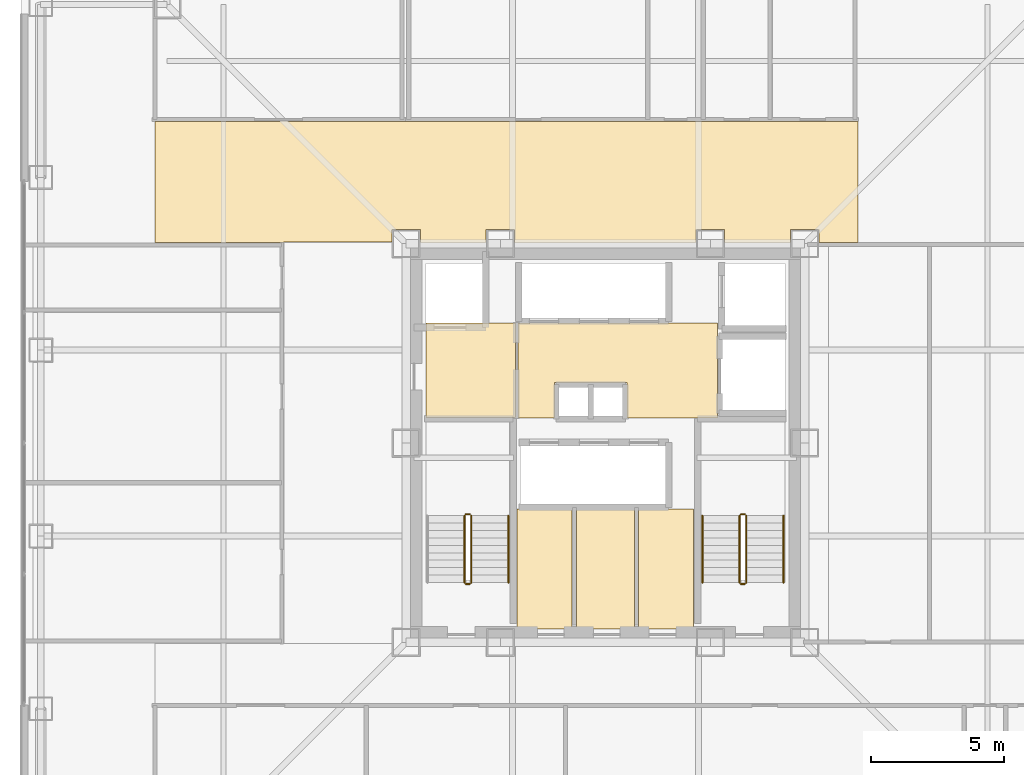
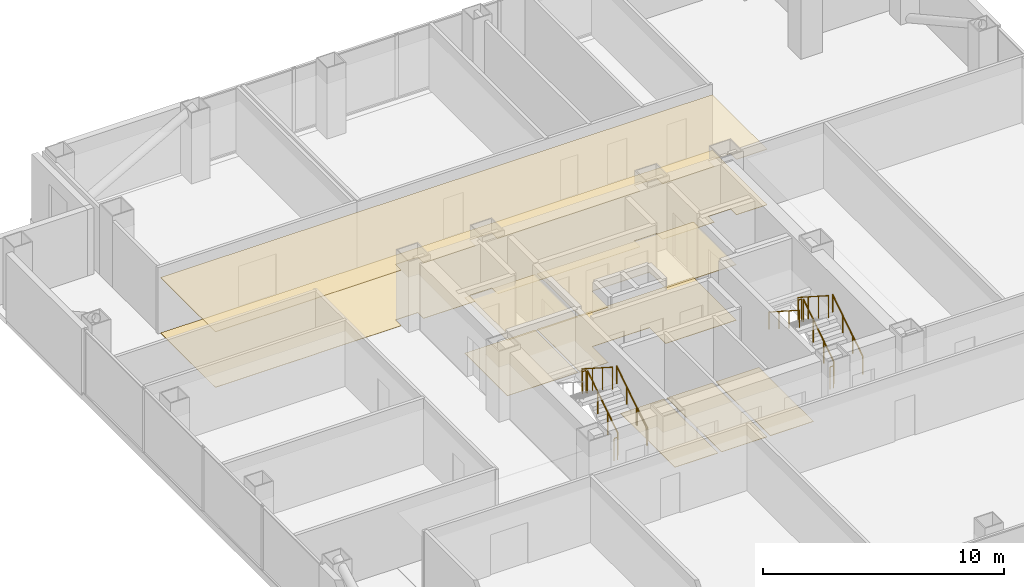
# One storey, part 15 of 16: 11 railings, 9 coverings.
"""IFC4 building model written with IfcOpenShell, lengths in metres."""

from ifc_helpers import new_model, si_unit, direction, frame, origin, origin_2d, place, context, subcontext, project, spatial, polyline, circle, outline, extrude, material, layer, layer_set, type_object, element, save


model = new_model("IFC4")

# Units and contexts
model_context = context("Model", 3, precision=1e-05, world=origin(), true_north=direction((0.0, 1.0)))
body_context = subcontext(model_context, "Body", "Model", "MODEL_VIEW")
ifc_project = project(units=[si_unit("LENGTHUNIT", "METRE"), si_unit("AREAUNIT", "SQUARE_METRE"), si_unit("VOLUMEUNIT", "CUBIC_METRE"), si_unit("PLANEANGLEUNIT", "RADIAN"), si_unit("MASSUNIT", "GRAM", prefix="KILO")], contexts=[model_context])

# Site, building, storey
site_placement = place(None, origin())
site = spatial("IfcSite", under=ifc_project, at=site_placement, CompositionType="ELEMENT")
building_placement = place(site_placement, origin())
building = spatial("IfcBuilding", under=site, at=building_placement, Name="Trevonay Congress Spire", CompositionType="ELEMENT")
storey_placement = place(building_placement, frame((0.0, 0.0, 101.199951171875)))
storey = spatial("IfcBuildingStorey", under=building, at=storey_placement, Name="L25", CompositionType="ELEMENT", Elevation=101.199951171875)

# Coverings
ifc_material_1 = material(Name="Acoustic Mineral Fibre Board", Category="gypsum")
ifc_layer_1 = layer(ifc_material_1, 0.02490234375, Name="Acoustic Mineral Fibre Board")
ifc_layer_set_1 = layer_set([ifc_layer_1], Name="Acoustic Mineral Fibre Board")
covering_type_1 = type_object("IfcCoveringType", Name="COV-CEIL-ACOUSTIC", PredefinedType="CEILING", material=ifc_layer_set_1)
covering_1_placement = place(storey_placement, frame((0.0, 0.0, 2.81005859375)))
element("IfcCovering", 1, at=covering_1_placement, inside=storey, type_object=covering_type_1, Name="L25 Firefighting Lift Lobby West acoustic suspended ceiling", PredefinedType="CEILING", context=body_context, shape_type="SweptSolid", body=[
    extrude(outline(polyline([(-6.75, 0.9599609375), (-3.3798828125, 0.9599609375), (-3.3798828125, 4.52001953125), (-6.75, 4.52001953125), (-6.75, 0.9599609375)])), origin(), (0.0, 0.0, 1.0), 0.02490234375),
])
covering_2_placement = place(storey_placement, frame((0.0, 0.0, 2.81005859375)))
element("IfcCovering", 2, at=covering_2_placement, inside=storey, type_object=covering_type_1, Name="L25 Central and High-Rise Passenger Lift Lobby acoustic suspended ceiling", PredefinedType="CEILING", context=body_context, shape_type="SweptSolid", body=[
    extrude(outline(polyline([(-3.280029296875, 0.949951171875), (-1.919921875, 0.949951171875), (-1.919921875, 2.280029296875), (0.820068359375, 2.280029296875), (0.820068359375, 0.949951171875), (4.219970703125, 0.949951171875), (4.219970703125, 4.52001953125), (-3.280029296875, 4.52001953125), (-3.280029296875, 0.949951171875)])), origin(), (0.0, 0.0, 1.0), 0.02490234375),
])
covering_3_placement = place(storey_placement, frame((0.0, 0.0, 2.81005859375)))
element("IfcCovering", 3, at=covering_3_placement, inside=storey, type_object=covering_type_1, Name="L25 North Sky Promenade Salon acoustic suspended ceiling", PredefinedType="CEILING", context=body_context, shape_type="SweptSolid", body=[
    extrude(outline(polyline([(-16.949951171875, 12.10009765625), (9.5, 12.10009765625), (9.5, 7.550048828125), (8.034912109375, 7.550048828125), (8.034912109375, 8.034912109375), (6.965087890625, 8.034912109375), (6.965087890625, 7.550048828125), (4.485107421875, 7.550048828125), (4.485107421875, 8.034912109375), (3.4150390625, 8.034912109375), (3.4150390625, 7.550048828125), (-3.4150390625, 7.550048828125), (-3.4150390625, 8.034912109375), (-4.485107421875, 8.034912109375), (-4.485107421875, 7.550048828125), (-6.965087890625, 7.550048828125), (-6.965087890625, 8.034912109375), (-8.034912109375, 8.034912109375), (-8.034912109375, 7.56005859375), (-12.110107421875, 7.56005859375), (-12.110107421875, 7.550048828125), (-16.949951171875, 7.550048828125), (-16.949951171875, 12.10009765625)])), origin(), (0.0, 0.0, 1.0), 0.02490234375),
])
ifc_material_2 = material(Name="Polished Granite Floor Tile", Category="masonry")
ifc_layer_2 = layer(ifc_material_2, 0.02001953125, Name="Polished Granite Floor Tile")
ifc_layer_set_2 = layer_set([ifc_layer_2], Name="Polished Granite Floor Tile")
covering_type_2 = type_object("IfcCoveringType", Name="COV-FLOOR-STONE", PredefinedType="FLOORING", material=ifc_layer_set_2)
covering_4_placement = place(storey_placement, origin())
element("IfcCovering", 4, at=covering_4_placement, inside=storey, type_object=covering_type_2, Name="L25 Firefighting Lift Lobby West floor finish", PredefinedType="FLOORING", context=body_context, shape_type="SweptSolid", body=[
    extrude(outline(polyline([(-6.75, 0.9599609375), (-3.3798828125, 0.9599609375), (-3.3798828125, 4.52001953125), (-6.75, 4.52001953125), (-6.75, 0.9599609375)])), origin(), (0.0, 0.0, 1.0), 0.02001953125),
])
covering_5_placement = place(storey_placement, origin())
element("IfcCovering", 5, at=covering_5_placement, inside=storey, type_object=covering_type_2, Name="L25 Central and High-Rise Passenger Lift Lobby floor finish", PredefinedType="FLOORING", context=body_context, shape_type="SweptSolid", body=[
    extrude(outline(polyline([(-3.280029296875, 0.949951171875), (-1.919921875, 0.949951171875), (-1.919921875, 2.280029296875), (0.820068359375, 2.280029296875), (0.820068359375, 0.949951171875), (4.219970703125, 0.949951171875), (4.219970703125, 4.52001953125), (-3.280029296875, 4.52001953125), (-3.280029296875, 0.949951171875)])), origin(), (0.0, 0.0, 1.0), 0.02001953125),
])
covering_6_placement = place(storey_placement, origin())
element("IfcCovering", 6, at=covering_6_placement, inside=storey, type_object=covering_type_2, Name="L25 Core AHU Fan Plant Room floor finish", PredefinedType="FLOORING", context=body_context, shape_type="SweptSolid", body=[
    extrude(outline(polyline([(-3.320068359375, -7.0), (-1.25, -7.0), (-1.25, -2.47998046875), (-3.320068359375, -2.47998046875), (-3.320068359375, -7.0)])), origin(), (0.0, 0.0, 1.0), 0.02001953125),
])
covering_7_placement = place(storey_placement, origin())
element("IfcCovering", 7, at=covering_7_placement, inside=storey, type_object=covering_type_2, Name="L25 Core IT Comms Store floor finish", PredefinedType="FLOORING", context=body_context, shape_type="SweptSolid", body=[
    extrude(outline(polyline([(-1.090087890625, -7.0), (1.090087890625, -7.0), (1.090087890625, -2.47998046875), (-1.090087890625, -2.47998046875), (-1.090087890625, -7.0)])), origin(), (0.0, 0.0, 1.0), 0.02001953125),
])
covering_8_placement = place(storey_placement, origin())
element("IfcCovering", 8, at=covering_8_placement, inside=storey, type_object=covering_type_2, Name="L25 Housekeeping Linen Store floor finish", PredefinedType="FLOORING", context=body_context, shape_type="SweptSolid", body=[
    extrude(outline(polyline([(1.25, -7.0), (3.320068359375, -7.0), (3.320068359375, -2.47998046875), (1.25, -2.47998046875), (1.25, -7.0)])), origin(), (0.0, 0.0, 1.0), 0.02001953125),
])
ifc_material_3 = material(Name="Engineered Oak Flooring", Category="wood")
ifc_layer_3 = layer(ifc_material_3, 0.01806640625, Name="Engineered Oak Flooring")
ifc_layer_set_3 = layer_set([ifc_layer_3], Name="Engineered Oak Flooring")
covering_type_3 = type_object("IfcCoveringType", Name="COV-FLOOR-TIMBER", PredefinedType="FLOORING", material=ifc_layer_set_3)
covering_9_placement = place(storey_placement, origin())
element("IfcCovering", 9, at=covering_9_placement, inside=storey, type_object=covering_type_3, Name="L25 North Sky Promenade Salon floor finish", PredefinedType="FLOORING", context=body_context, shape_type="SweptSolid", body=[
    extrude(outline(polyline([(-16.949951171875, 12.10009765625), (9.5, 12.10009765625), (9.5, 7.550048828125), (8.034912109375, 7.550048828125), (8.034912109375, 8.034912109375), (6.965087890625, 8.034912109375), (6.965087890625, 7.550048828125), (4.485107421875, 7.550048828125), (4.485107421875, 8.034912109375), (3.4150390625, 8.034912109375), (3.4150390625, 7.550048828125), (-3.4150390625, 7.550048828125), (-3.4150390625, 8.034912109375), (-4.485107421875, 8.034912109375), (-4.485107421875, 7.550048828125), (-6.965087890625, 7.550048828125), (-6.965087890625, 8.034912109375), (-8.034912109375, 8.034912109375), (-8.034912109375, 7.56005859375), (-12.110107421875, 7.56005859375), (-12.110107421875, 7.550048828125), (-16.949951171875, 7.550048828125), (-16.949951171875, 12.10009765625)])), origin(), (0.0, 0.0, 1.0), 0.01806640625),
])

# Railings
ifc_material_4 = material(Name="Pale Anodised Aluminium EN AW-6063-T6", Category="aluminium")
railing_type_1 = type_object("IfcRailingType", Name="RAL-STAIR-GUARD-110", PredefinedType="GUARDRAIL", material=ifc_material_4)
railing_1_placement = place(storey_placement, frame((-5.050048828125, -5.25, 0.179931640625)))
element("IfcRailing", 10, at=railing_1_placement, inside=storey, type_object=railing_type_1, Name="L25 ST-1 stair guard 1", PredefinedType="GUARDRAIL", context=body_context, shape_type="SweptSolid", body=[
    extrude(circle(Radius=0.02392578125, at=origin_2d()), frame((0.0, 0.0, 1.1259765625), z_axis=(0.0, 0.841162588446, 0.540782303519), x_axis=(-1.0, 0.0, 0.0)), (0.0, 0.0, 1.0), 2.995849609375),
    extrude(circle(Radius=0.02099609375, at=origin_2d()), origin(), (0.0, 0.0, 1.0), 1.101806640625),
    extrude(circle(Radius=0.02099609375, at=origin_2d()), frame((0.0, 0.840087890625, 0.5400390625)), (0.0, 0.0, 1.0), 1.101806640625),
    extrude(circle(Radius=0.02099609375, at=origin_2d()), frame((0.0, 1.679931640625, 1.080078125)), (0.0, 0.0, 1.0), 1.101806640625),
    extrude(circle(Radius=0.02099609375, at=origin_2d()), frame((0.0, 2.52001953125, 1.6201171875)), (0.0, 0.0, 1.0), 1.101806640625),
])
railing_2_placement = place(storey_placement, frame((-5.10009765625, -2.679931640625, 1.800048828125)))
element("IfcRailing", 11, at=railing_2_placement, inside=storey, type_object=railing_type_1, Name="L25 ST-1 stair guard 2", PredefinedType="GUARDRAIL", context=body_context, shape_type="SweptSolid", body=[
    extrude(circle(Radius=0.02392578125, at=origin_2d()), frame((0.0, 0.0, 1.1259765625), z_axis=(-1.0, 0.0, 0.0), x_axis=(0.0, -1.0, 0.0)), (0.0, 0.0, 1.0), 0.14990234375),
    extrude(circle(Radius=0.02099609375, at=origin_2d()), origin(), (0.0, 0.0, 1.0), 1.101806640625),
    extrude(circle(Radius=0.02099609375, at=origin_2d()), frame((-0.14990234375, 0.0, 0.0)), (0.0, 0.0, 1.0), 1.101806640625),
])
railing_3_placement = place(storey_placement, frame((-5.300048828125, -2.72998046875, 1.97998046875)))
element("IfcRailing", 12, at=railing_3_placement, inside=storey, type_object=railing_type_1, Name="L25 ST-1 stair guard 3", PredefinedType="GUARDRAIL", context=body_context, shape_type="SweptSolid", body=[
    extrude(circle(Radius=0.02392578125, at=origin_2d()), frame((0.0, 0.0, 1.1259765625), z_axis=(0.0, -0.841162588446, 0.540782303519), x_axis=(1.0, 0.0, 0.0)), (0.0, 0.0, 1.0), 2.995849609375),
    extrude(circle(Radius=0.02099609375, at=origin_2d()), origin(), (0.0, 0.0, 1.0), 1.101806640625),
    extrude(circle(Radius=0.02099609375, at=origin_2d()), frame((0.0, -0.840087890625, 0.5400390625)), (0.0, 0.0, 1.0), 1.101806640625),
    extrude(circle(Radius=0.02099609375, at=origin_2d()), frame((0.0, -1.679931640625, 1.080078125)), (0.0, 0.0, 1.0), 1.101806640625),
    extrude(circle(Radius=0.02099609375, at=origin_2d()), frame((0.0, -2.52001953125, 1.6201171875)), (0.0, 0.0, 1.0), 1.101806640625),
])
railing_4_placement = place(storey_placement, frame((-5.10009765625, -5.300048828125, 0.0)))
element("IfcRailing", 13, at=railing_4_placement, inside=storey, type_object=railing_type_1, Name="L25 ST-1 stair guard 4", PredefinedType="GUARDRAIL", context=body_context, shape_type="SweptSolid", body=[
    extrude(circle(Radius=0.02392578125, at=origin_2d()), frame((0.0, 0.0, 1.1259765625), z_axis=(-1.0, 0.0, 0.0), x_axis=(0.0, -1.0, 0.0)), (0.0, 0.0, 1.0), 0.14990234375),
    extrude(circle(Radius=0.02099609375, at=origin_2d()), origin(), (0.0, 0.0, 1.0), 1.101806640625),
    extrude(circle(Radius=0.02099609375, at=origin_2d()), frame((-0.14990234375, 0.0, 0.0)), (0.0, 0.0, 1.0), 1.101806640625),
])
railing_5_placement = place(storey_placement, frame((5.300048828125, -5.25, 0.179931640625)))
element("IfcRailing", 14, at=railing_5_placement, inside=storey, type_object=railing_type_1, Name="L25 ST-2 stair guard 1", PredefinedType="GUARDRAIL", context=body_context, shape_type="SweptSolid", body=[
    extrude(circle(Radius=0.02392578125, at=origin_2d()), frame((0.0, 0.0, 1.1259765625), z_axis=(0.0, 0.841162588446, 0.540782303519), x_axis=(-1.0, 0.0, 0.0)), (0.0, 0.0, 1.0), 2.995849609375),
    extrude(circle(Radius=0.02099609375, at=origin_2d()), origin(), (0.0, 0.0, 1.0), 1.101806640625),
    extrude(circle(Radius=0.02099609375, at=origin_2d()), frame((0.0, 0.840087890625, 0.5400390625)), (0.0, 0.0, 1.0), 1.101806640625),
    extrude(circle(Radius=0.02099609375, at=origin_2d()), frame((0.0, 1.679931640625, 1.080078125)), (0.0, 0.0, 1.0), 1.101806640625),
    extrude(circle(Radius=0.02099609375, at=origin_2d()), frame((0.0, 2.52001953125, 1.6201171875)), (0.0, 0.0, 1.0), 1.101806640625),
])
railing_6_placement = place(storey_placement, frame((5.25, -2.679931640625, 1.800048828125)))
element("IfcRailing", 15, at=railing_6_placement, inside=storey, type_object=railing_type_1, Name="L25 ST-2 stair guard 2", PredefinedType="GUARDRAIL", context=body_context, shape_type="SweptSolid", body=[
    extrude(circle(Radius=0.02392578125, at=origin_2d()), frame((0.0, 0.0, 1.1259765625), z_axis=(-1.0, 0.0, 0.0), x_axis=(0.0, -1.0, 0.0)), (0.0, 0.0, 1.0), 0.14990234375),
    extrude(circle(Radius=0.02099609375, at=origin_2d()), origin(), (0.0, 0.0, 1.0), 1.101806640625),
    extrude(circle(Radius=0.02099609375, at=origin_2d()), frame((-0.14990234375, 0.0, 0.0)), (0.0, 0.0, 1.0), 1.101806640625),
])
railing_7_placement = place(storey_placement, frame((5.050048828125, -2.72998046875, 1.97998046875)))
element("IfcRailing", 16, at=railing_7_placement, inside=storey, type_object=railing_type_1, Name="L25 ST-2 stair guard 3", PredefinedType="GUARDRAIL", context=body_context, shape_type="SweptSolid", body=[
    extrude(circle(Radius=0.02392578125, at=origin_2d()), frame((0.0, 0.0, 1.1259765625), z_axis=(0.0, -0.841162588446, 0.540782303519), x_axis=(1.0, 0.0, 0.0)), (0.0, 0.0, 1.0), 2.995849609375),
    extrude(circle(Radius=0.02099609375, at=origin_2d()), origin(), (0.0, 0.0, 1.0), 1.101806640625),
    extrude(circle(Radius=0.02099609375, at=origin_2d()), frame((0.0, -0.840087890625, 0.5400390625)), (0.0, 0.0, 1.0), 1.101806640625),
    extrude(circle(Radius=0.02099609375, at=origin_2d()), frame((0.0, -1.679931640625, 1.080078125)), (0.0, 0.0, 1.0), 1.101806640625),
    extrude(circle(Radius=0.02099609375, at=origin_2d()), frame((0.0, -2.52001953125, 1.6201171875)), (0.0, 0.0, 1.0), 1.101806640625),
])
railing_8_placement = place(storey_placement, frame((5.25, -5.300048828125, 0.0)))
element("IfcRailing", 17, at=railing_8_placement, inside=storey, type_object=railing_type_1, Name="L25 ST-2 stair guard 4", PredefinedType="GUARDRAIL", context=body_context, shape_type="SweptSolid", body=[
    extrude(circle(Radius=0.02392578125, at=origin_2d()), frame((0.0, 0.0, 1.1259765625), z_axis=(-1.0, 0.0, 0.0), x_axis=(0.0, -1.0, 0.0)), (0.0, 0.0, 1.0), 0.14990234375),
    extrude(circle(Radius=0.02099609375, at=origin_2d()), origin(), (0.0, 0.0, 1.0), 1.101806640625),
    extrude(circle(Radius=0.02099609375, at=origin_2d()), frame((-0.14990234375, 0.0, 0.0)), (0.0, 0.0, 1.0), 1.101806640625),
])
railing_type_2 = type_object("IfcRailingType", Name="RAL-STAIR-HANDRAIL", PredefinedType="HANDRAIL", material=ifc_material_4)
for number, where, name in (
    (18, (-3.64990234375, -5.25, 0.179931640625), "L25 ST-1 stair handrail 1"),
    (19, (6.699951171875, -5.25, 0.179931640625), "L25 ST-2 stair handrail 1"),
):
    element("IfcRailing", number, at=place(storey_placement, frame(where)), inside=storey, type_object=railing_type_2, Name=name, PredefinedType="HANDRAIL", context=body_context, shape_type="SweptSolid", body=[
        extrude(circle(Radius=0.02392578125, at=origin_2d()), frame((0.0, 0.0, 0.8759765625), z_axis=(0.0, 0.841162588446, 0.540782303519), x_axis=(-1.0, 0.0, 0.0)), (0.0, 0.0, 1.0), 2.995849609375),
        extrude(circle(Radius=0.02099609375, at=origin_2d()), origin(), (0.0, 0.0, 1.0), 0.851806640625),
        extrude(circle(Radius=0.02099609375, at=origin_2d()), frame((0.0, 0.840087890625, 0.5400390625)), (0.0, 0.0, 1.0), 0.851806640625),
        extrude(circle(Radius=0.02099609375, at=origin_2d()), frame((0.0, 1.679931640625, 1.080078125)), (0.0, 0.0, 1.0), 0.851806640625),
        extrude(circle(Radius=0.02099609375, at=origin_2d()), frame((0.0, 2.52001953125, 1.6201171875)), (0.0, 0.0, 1.0), 0.851806640625),
    ])
railing_9_placement = place(storey_placement, frame((3.64990234375, -2.72998046875, 1.97998046875)))
element("IfcRailing", 20, at=railing_9_placement, inside=storey, type_object=railing_type_2, Name="L25 ST-2 stair handrail 2", PredefinedType="HANDRAIL", context=body_context, shape_type="SweptSolid", body=[
    extrude(circle(Radius=0.02392578125, at=origin_2d()), frame((0.0, 0.0, 0.8759765625), z_axis=(0.0, -0.841162588446, 0.540782303519), x_axis=(1.0, 0.0, 0.0)), (0.0, 0.0, 1.0), 2.995849609375),
    extrude(circle(Radius=0.02099609375, at=origin_2d()), origin(), (0.0, 0.0, 1.0), 0.851806640625),
    extrude(circle(Radius=0.02099609375, at=origin_2d()), frame((0.0, -0.840087890625, 0.5400390625)), (0.0, 0.0, 1.0), 0.851806640625),
    extrude(circle(Radius=0.02099609375, at=origin_2d()), frame((0.0, -1.679931640625, 1.080078125)), (0.0, 0.0, 1.0), 0.851806640625),
    extrude(circle(Radius=0.02099609375, at=origin_2d()), frame((0.0, -2.52001953125, 1.6201171875)), (0.0, 0.0, 1.0), 0.851806640625),
])

save(model, "model.ifc")
